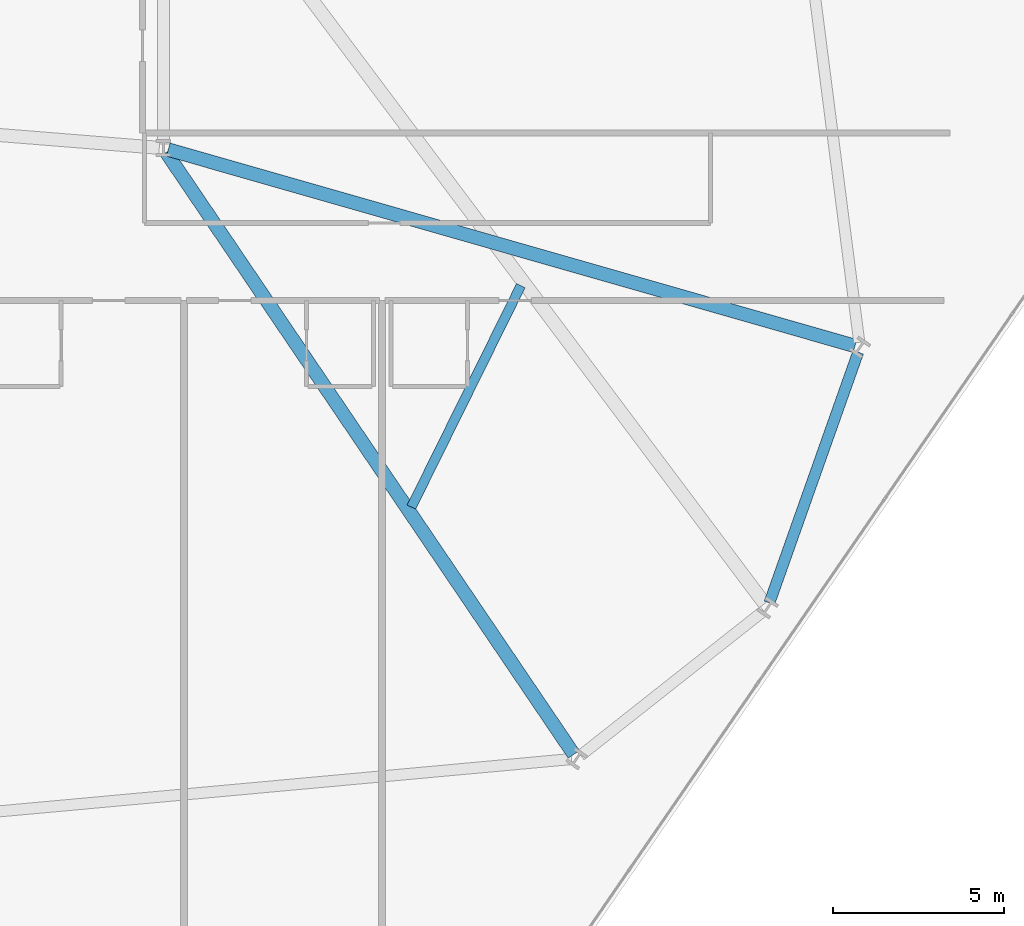
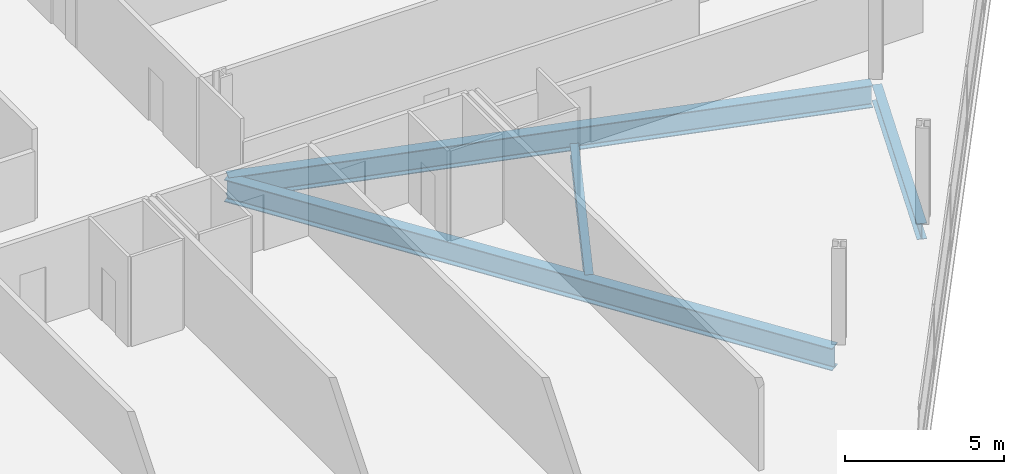
# One storey, part 10 of 27: 4 beams.
"""IFC4 building model written with IfcOpenShell, lengths in metres."""

from ifc_helpers import new_model, si_unit, direction, frame, origin, origin_2d, place, context, subcontext, project, spatial, i_section, extrude, material, material_profile, profile_set, type_object, element, save


model = new_model("IFC4")

# Units and contexts
model_context = context("Model", 3, precision=1e-05, world=origin(), true_north=direction((0.0, 1.0)))
body_context = subcontext(model_context, "Body", "Model", "MODEL_VIEW")
ifc_project = project(units=[si_unit("LENGTHUNIT", "METRE"), si_unit("AREAUNIT", "SQUARE_METRE"), si_unit("VOLUMEUNIT", "CUBIC_METRE"), si_unit("PLANEANGLEUNIT", "RADIAN"), si_unit("MASSUNIT", "GRAM", prefix="KILO")], contexts=[model_context])

# Site, building, storey
site_placement = place(None, origin())
site = spatial("IfcSite", under=ifc_project, at=site_placement, CompositionType="ELEMENT")
building_placement = place(site_placement, origin())
building = spatial("IfcBuilding", under=site, at=building_placement, Name="Varnelok Gate Tower", CompositionType="ELEMENT")
storey_placement = place(building_placement, frame((0.0, 0.0, 60.300048828125)))
storey = spatial("IfcBuildingStorey", under=building, at=storey_placement, Name="L14", CompositionType="ELEMENT", Elevation=60.300048828125)

# Beams
ifc_material = material(Name="Structural Steel ASTM A992 Grade 50", Category="steel")
ifc_material_profile_1 = material_profile(ifc_material, i_section(OverallWidth=0.280029296875, OverallDepth=0.462890625, WebThickness=0.0107421875, FlangeThickness=0.017333984375, FilletRadius=0.014892578125, at=origin_2d()), Name="W18X76")
ifc_profile_set_1 = profile_set([ifc_material_profile_1], Name="Structural Steel ASTM A992 Grade 50")
beam_type_1 = type_object("IfcBeamType", Name="BM-JST-W18X76", PredefinedType="JOIST", material=ifc_profile_set_1)
beam_1_placement = place(storey_placement, frame((61.25244140625, 8.306396484375, -0.4814453125), z_axis=(0.443164269457, 0.896440422045, 0.0), x_axis=(-0.896440422045, 0.443164269457, 0.0)))
element("IfcBeam", 1, at=beam_1_placement, inside=storey, type_object=beam_type_1, Name="L14 Sector Floor Joist 5", PredefinedType="JOIST", context=body_context, shape_type="SweptSolid", body=[
    extrude(i_section(OverallWidth=0.280029296875, OverallDepth=0.462890625, WebThickness=0.0107421875, FlangeThickness=0.017333984375, FilletRadius=0.014892578125, at=origin_2d()), origin(), (0.0, 0.0, 1.0), 7.218994140625),
])
ifc_material_profile_2 = material_profile(ifc_material, i_section(OverallWidth=0.39892578125, OverallDepth=0.85498046875, WebThickness=0.018310546875, FlangeThickness=0.029296875, FilletRadius=0.02392578125, at=origin_2d()), Name="W33X201")
ifc_profile_set_2 = profile_set([ifc_material_profile_2], Name="Structural Steel ASTM A992 Grade 50")
beam_type_2 = type_object("IfcBeamType", Name="BM-PRI-W33X201", PredefinedType="BEAM", material=ifc_profile_set_2)
beam_2_placement = place(storey_placement, frame((54.083984375, 18.67578125, -0.677490234375), z_axis=(0.560684565433, -0.828029478995, 0.0), x_axis=(0.828029478995, 0.560684565433, 0.0)))
element("IfcBeam", 2, at=beam_2_placement, inside=storey, type_object=beam_type_2, Name="L14 Radial Floor Girder 6", PredefinedType="BEAM", context=body_context, shape_type="SweptSolid", body=[
    extrude(i_section(OverallWidth=0.39892578125, OverallDepth=0.85498046875, WebThickness=0.018310546875, FlangeThickness=0.029296875, FilletRadius=0.02392578125, at=origin_2d()), origin(), (0.0, 0.0, 1.0), 21.25390625),
])
beam_3_placement = place(storey_placement, frame((54.144287109375, 18.7587890625, -0.677490234375), z_axis=(0.961463485116, -0.274932658643, 0.0), x_axis=(0.274932658643, 0.961463485116, 0.0)))
element("IfcBeam", 3, at=beam_3_placement, inside=storey, type_object=beam_type_2, Name="L14 Radial Floor Girder 8", PredefinedType="BEAM", context=body_context, shape_type="SweptSolid", body=[
    extrude(i_section(OverallWidth=0.39892578125, OverallDepth=0.85498046875, WebThickness=0.018310546875, FlangeThickness=0.029296875, FilletRadius=0.02392578125, at=origin_2d()), origin(), (0.0, 0.0, 1.0), 20.883056640625),
])
ifc_material_profile_3 = material_profile(ifc_material, i_section(OverallWidth=0.323974609375, OverallDepth=0.611083984375, WebThickness=0.0126953125, FlangeThickness=0.01904296875, FilletRadius=0.01806640625, at=origin_2d()), Name="W24X104")
ifc_profile_set_3 = profile_set([ifc_material_profile_3], Name="Structural Steel ASTM A992 Grade 50")
beam_type_3 = type_object("IfcBeamType", Name="BM-SPN-W24X104", PredefinedType="SPANDREL", material=ifc_profile_set_3)
beam_4_placement = place(storey_placement, frame((71.72021484375, 5.50390625, -0.5556640625), z_axis=(0.333887238705, 0.942613023372, 0.0), x_axis=(-0.942613023372, 0.333887238705, 0.0)))
element("IfcBeam", 4, at=beam_4_placement, inside=storey, type_object=beam_type_3, Name="L14 Perimeter Spandrel Beam 7", PredefinedType="SPANDREL", context=body_context, shape_type="SweptSolid", body=[
    extrude(i_section(OverallWidth=0.323974609375, OverallDepth=0.611083984375, WebThickness=0.0126953125, FlangeThickness=0.01904296875, FilletRadius=0.01806640625, at=origin_2d()), origin(), (0.0, 0.0, 1.0), 7.777099609375),
])

save(model, "model.ifc")
